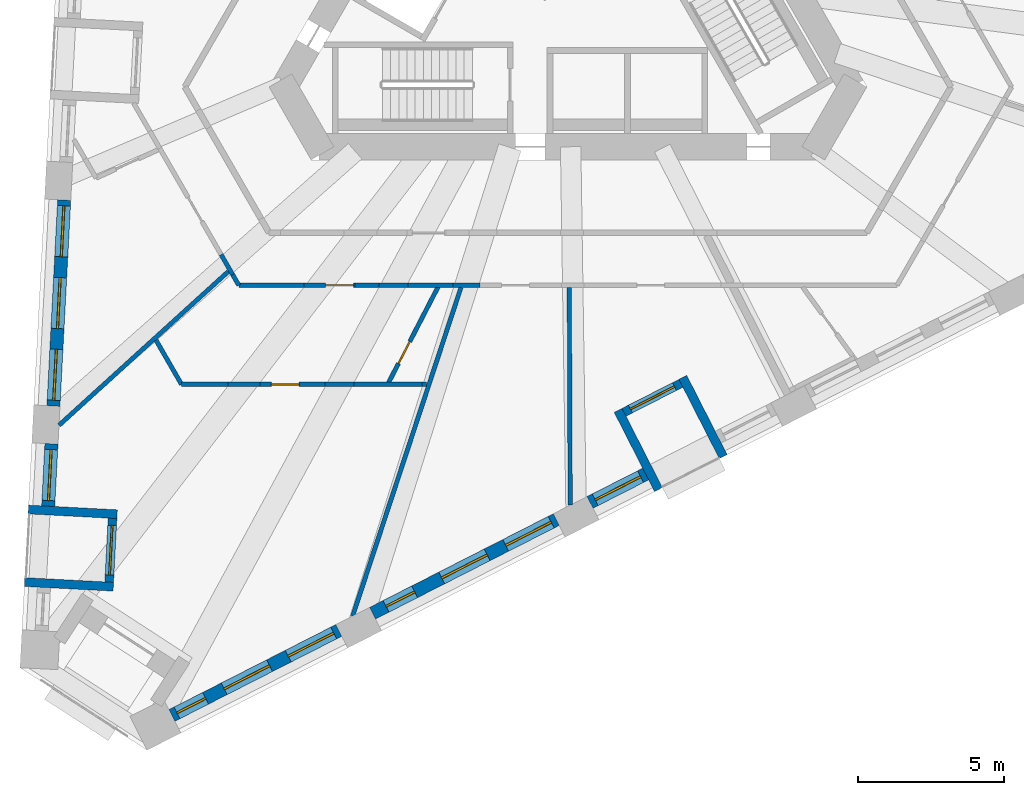
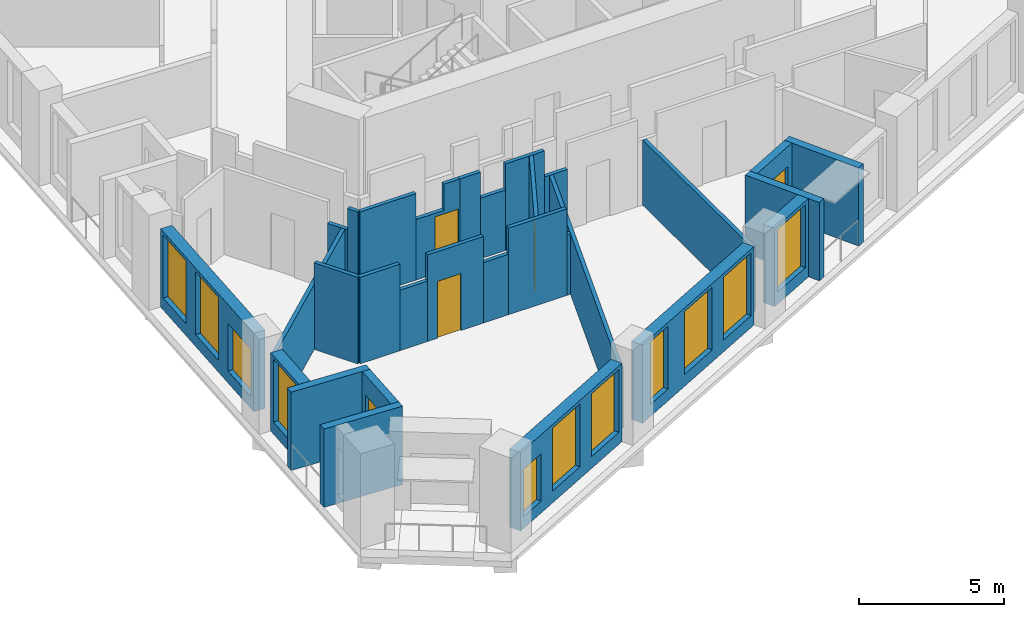
# One storey, part 2 of 12: 30 walls, 11 windows, 5 doors, 16 openings.
"""IFC4 building model written with IfcOpenShell, lengths in metres."""

from ifc_helpers import new_model, si_unit, direction, frame, frame_2d, origin, place, context, subcontext, project, spatial, polyline, rectangle, outline, extrude, material, layer, layer_set, type_object, element, fill, save


model = new_model("IFC4")

# Units and contexts
model_context = context("Model", 3, precision=1e-05, world=origin(), true_north=direction((0.0, 1.0)))
body_context = subcontext(model_context, "Body", "Model", "MODEL_VIEW")
ifc_project = project(units=[si_unit("LENGTHUNIT", "METRE"), si_unit("AREAUNIT", "SQUARE_METRE"), si_unit("VOLUMEUNIT", "CUBIC_METRE"), si_unit("PLANEANGLEUNIT", "RADIAN"), si_unit("MASSUNIT", "GRAM", prefix="KILO")], contexts=[model_context])

# Site, building, storey
site_placement = place(None, origin())
site = spatial("IfcSite", under=ifc_project, at=site_placement, CompositionType="ELEMENT")
building_placement = place(site_placement, origin())
building = spatial("IfcBuilding", under=site, at=building_placement, Name="Tramontana Tower", CompositionType="ELEMENT")
storey_placement = place(building_placement, frame((0.0, 0.0, 129.60009765625)))
storey = spatial("IfcBuildingStorey", under=building, at=storey_placement, Name="L29", CompositionType="ELEMENT", Elevation=129.60009765625)

# Wall, openings, windows
ifc_material_1 = material(Name="Precast concrete 60 MPa", Category="concrete")
ifc_layer_1 = layer(ifc_material_1, 0.449951171875)
ifc_layer_set_1 = layer_set([ifc_layer_1], Name="Precast concrete 60 MPa, 450 mm")
wall_type_1 = type_object("IfcWallType", Name="EW1 Stone-faced precast wall 450", PredefinedType="SOLIDWALL", material=ifc_layer_set_1)
wall_1_placement = place(storey_placement, frame((-17.274169921875, -8.128662109375, 0.0), z_axis=(0.0, 0.0, 1.0), x_axis=(-0.052339570873, -0.998629345313, 0.0)))
wall_1 = element("IfcWall", 1, at=wall_1_placement, inside=storey, type_object=wall_type_1, Name="External wall L29 face 0 bay 5", PredefinedType="SOLIDWALL", context=body_context, shape_type="SweptSolid", body=[
    extrude(rectangle(XDim=7.071533203125, YDim=0.449951171875, at=frame_2d((3.53564453125, 0.0))), origin(), (0.0, 0.0, 1.0), 3.2998046875),
])
opening_1_placement = place(wall_1_placement, frame((0.1953125, 0.0, 0.5)))
opening_1 = element("IfcOpeningElement", 2, at=opening_1_placement, cuts=wall_1, Name="Opening M2", PredefinedType="OPENING", context=body_context, shape_type="SweptSolid", body=[
    extrude(rectangle(XDim=1.75, YDim=2.64990234375, at=frame_2d((0.875, 1.324951171875))), frame((0.0, 0.23486328125, 0.0), z_axis=(0.0, -1.0, 0.0), x_axis=(1.0, 0.0, 0.0)), (0.0, 0.0, 1.0), 0.469970703125),
])
opening_2_placement = place(wall_1_placement, frame((2.660888671875, 0.0, 0.5)))
opening_2 = element("IfcOpeningElement", 3, at=opening_2_placement, cuts=wall_1, Name="Opening M2", PredefinedType="OPENING", context=body_context, shape_type="SweptSolid", body=[
    extrude(rectangle(XDim=1.75, YDim=2.64990234375, at=frame_2d((0.875, 1.324951171875))), frame((0.0, 0.23486328125, 0.0), z_axis=(0.0, -1.0, 0.0), x_axis=(1.0, 0.0, 0.0)), (0.0, 0.0, 1.0), 0.469970703125),
])
opening_3_placement = place(wall_1_placement, frame((5.126220703125, 0.0, 0.5)))
opening_3 = element("IfcOpeningElement", 4, at=opening_3_placement, cuts=wall_1, Name="Opening M2L", PredefinedType="OPENING", context=body_context, shape_type="SweptSolid", body=[
    extrude(rectangle(XDim=1.75, YDim=2.0, at=frame_2d((0.875, 1.0))), frame((0.0, 0.23486328125, 0.0), z_axis=(0.0, -1.0, 0.0), x_axis=(1.0, 0.0, 0.0)), (0.0, 0.0, 1.0), 0.469970703125),
])
ifc_material_2 = material(Name="Aluminum frame, double glazing unit", Category="aluminium")
window_type_1 = type_object("IfcWindowType", Name="M2 Window 1.75 x 2.65", PartitioningType="SINGLE_PANEL", PredefinedType="WINDOW", material=ifc_material_2)
window_1_placement = place(opening_1_placement, origin())
window_1 = element("IfcWindow", 5, at=window_1_placement, inside=storey, type_object=window_type_1, Name="Window M2 L29 face 0 module 13", OverallHeight=2.64990234375, OverallWidth=1.75, PartitioningType="SINGLE_PANEL", PredefinedType="WINDOW", context=body_context, shape_type="SweptSolid", body=[
    extrude(rectangle(XDim=1.75, YDim=2.64990234375, at=frame_2d((0.875, 1.324951171875))), frame((0.0, 0.030029296875, 0.0), z_axis=(0.0, -1.0, 0.0), x_axis=(1.0, 0.0, 0.0)), (0.0, 0.0, 1.0), 0.06005859375),
])
fill(opening_1, window_1)
window_2_placement = place(opening_2_placement, origin())
window_2 = element("IfcWindow", 6, at=window_2_placement, inside=storey, type_object=window_type_1, Name="Window M2 L29 face 0 module 14", OverallHeight=2.64990234375, OverallWidth=1.75, PartitioningType="SINGLE_PANEL", PredefinedType="WINDOW", context=body_context, shape_type="SweptSolid", body=[
    extrude(rectangle(XDim=1.75, YDim=2.64990234375, at=frame_2d((0.875, 1.324951171875))), frame((0.0, 0.030029296875, 0.0), z_axis=(0.0, -1.0, 0.0), x_axis=(1.0, 0.0, 0.0)), (0.0, 0.0, 1.0), 0.06005859375),
])
fill(opening_2, window_2)
ifc_material_3 = material(Name="Aluminum frame, double glazing unit", Category="aluminium")
window_type_2 = type_object("IfcWindowType", Name="M2L Window 1.75 x 2", PartitioningType="SINGLE_PANEL", PredefinedType="WINDOW", material=ifc_material_3)
window_3_placement = place(opening_3_placement, origin())
window_3 = element("IfcWindow", 7, at=window_3_placement, inside=storey, type_object=window_type_2, Name="Window M2L L29 face 0 module 15", OverallHeight=2.0, OverallWidth=1.75, PartitioningType="SINGLE_PANEL", PredefinedType="WINDOW", context=body_context, shape_type="SweptSolid", body=[
    extrude(rectangle(XDim=1.75, YDim=2.0, at=frame_2d((0.875, 1.0))), frame((0.0, 0.030029296875, 0.0), z_axis=(0.0, -1.0, 0.0), x_axis=(1.0, 0.0, 0.0)), (0.0, 0.0, 1.0), 0.06005859375),
])
fill(opening_3, window_3)

# Wall, opening, window
wall_2_placement = place(storey_placement, frame((-17.712158203125, -16.48876953125, 0.0), z_axis=(0.0, 0.0, 1.0), x_axis=(-0.05234931875, -0.998628834366, 0.0)))
wall_2 = element("IfcWall", 8, at=wall_2_placement, inside=storey, type_object=wall_type_1, Name="External wall L29 face 0 bay 6", PredefinedType="SOLIDWALL", context=body_context, shape_type="SweptSolid", body=[
    extrude(rectangle(XDim=2.140625, YDim=0.449951171875, at=frame_2d((1.0703125, 0.0))), origin(), (0.0, 0.0, 1.0), 3.2998046875),
])
opening_4_placement = place(wall_2_placement, frame((0.1953125, 0.0, 0.5)))
opening_4 = element("IfcOpeningElement", 9, at=opening_4_placement, cuts=wall_2, Name="Opening M2", PredefinedType="OPENING", context=body_context, shape_type="SweptSolid", body=[
    extrude(rectangle(XDim=1.75, YDim=2.64990234375, at=frame_2d((0.875, 1.324951171875))), frame((0.0, 0.23486328125, 0.0), z_axis=(0.0, -1.0, 0.0), x_axis=(1.0, 0.0, 0.0)), (0.0, 0.0, 1.0), 0.469970703125),
])
window_4_placement = place(opening_4_placement, origin())
window_4 = element("IfcWindow", 10, at=window_4_placement, inside=storey, type_object=window_type_1, Name="Window M2 L29 face 0 module 16", OverallHeight=2.64990234375, OverallWidth=1.75, PartitioningType="SINGLE_PANEL", PredefinedType="WINDOW", context=body_context, shape_type="SweptSolid", body=[
    extrude(rectangle(XDim=1.75, YDim=2.64990234375, at=frame_2d((0.875, 1.324951171875))), frame((0.0, 0.030029296875, 0.0), z_axis=(0.0, -1.0, 0.0), x_axis=(1.0, 0.0, 0.0)), (0.0, 0.0, 1.0), 0.06005859375),
])
fill(opening_4, window_4)

# Wall, openings, windows
wall_3_placement = place(storey_placement, frame((-13.580810546875, -25.802734375, 0.0), z_axis=(0.0, 0.0, 1.0), x_axis=(0.891010191031, 0.453983303085, 0.0)))
wall_3 = element("IfcWall", 11, at=wall_3_placement, inside=storey, type_object=wall_type_1, Name="External wall L29 face 1 bay 1", PredefinedType="SOLIDWALL", context=body_context, shape_type="SweptSolid", body=[
    extrude(rectangle(XDim=6.421630859375, YDim=0.449951171875, at=frame_2d((3.2109375, 0.0))), origin(), (0.0, 0.0, 1.0), 3.2998046875),
])
opening_5_placement = place(wall_3_placement, frame((0.1953125, 0.0, 0.5)))
opening_5 = element("IfcOpeningElement", 12, at=opening_5_placement, cuts=wall_3, Name="Opening N2L", PredefinedType="OPENING", context=body_context, shape_type="SweptSolid", body=[
    extrude(rectangle(XDim=1.10009765625, YDim=2.0, at=frame_2d((0.550048828125, 1.0))), frame((0.0, 0.23486328125, 0.0), z_axis=(0.0, -1.0, 0.0), x_axis=(1.0, 0.0, 0.0)), (0.0, 0.0, 1.0), 0.469970703125),
])
opening_6_placement = place(wall_3_placement, frame((2.0107421875, 0.0, 0.5)))
opening_6 = element("IfcOpeningElement", 13, at=opening_6_placement, cuts=wall_3, Name="Opening M2", PredefinedType="OPENING", context=body_context, shape_type="SweptSolid", body=[
    extrude(rectangle(XDim=1.75, YDim=2.64990234375, at=frame_2d((0.875, 1.324951171875))), frame((0.0, 0.23486328125, 0.0), z_axis=(0.0, -1.0, 0.0), x_axis=(1.0, 0.0, 0.0)), (0.0, 0.0, 1.0), 0.469970703125),
])
opening_7_placement = place(wall_3_placement, frame((4.476318359375, 0.0, 0.5)))
opening_7 = element("IfcOpeningElement", 14, at=opening_7_placement, cuts=wall_3, Name="Opening M2", PredefinedType="OPENING", context=body_context, shape_type="SweptSolid", body=[
    extrude(rectangle(XDim=1.75, YDim=2.64990234375, at=frame_2d((0.875, 1.324951171875))), frame((0.0, 0.23486328125, 0.0), z_axis=(0.0, -1.0, 0.0), x_axis=(1.0, 0.0, 0.0)), (0.0, 0.0, 1.0), 0.469970703125),
])
window_5_placement = place(opening_6_placement, origin())
window_5 = element("IfcWindow", 15, at=window_5_placement, inside=storey, type_object=window_type_1, Name="Window M2 L29 face 1 module 2", OverallHeight=2.64990234375, OverallWidth=1.75, PartitioningType="SINGLE_PANEL", PredefinedType="WINDOW", context=body_context, shape_type="SweptSolid", body=[
    extrude(rectangle(XDim=1.75, YDim=2.64990234375, at=frame_2d((0.875, 1.324951171875))), frame((0.0, 0.030029296875, 0.0), z_axis=(0.0, -1.0, 0.0), x_axis=(1.0, 0.0, 0.0)), (0.0, 0.0, 1.0), 0.06005859375),
])
fill(opening_6, window_5)
window_6_placement = place(opening_7_placement, origin())
window_6 = element("IfcWindow", 16, at=window_6_placement, inside=storey, type_object=window_type_1, Name="Window M2 L29 face 1 module 3", OverallHeight=2.64990234375, OverallWidth=1.75, PartitioningType="SINGLE_PANEL", PredefinedType="WINDOW", context=body_context, shape_type="SweptSolid", body=[
    extrude(rectangle(XDim=1.75, YDim=2.64990234375, at=frame_2d((0.875, 1.324951171875))), frame((0.0, 0.030029296875, 0.0), z_axis=(0.0, -1.0, 0.0), x_axis=(1.0, 0.0, 0.0)), (0.0, 0.0, 1.0), 0.06005859375),
])
fill(opening_7, window_6)
ifc_material_4 = material(Name="Aluminum frame, double glazing unit", Category="aluminium")
window_type_3 = type_object("IfcWindowType", Name="N2L Window 1.1 x 2", PartitioningType="SINGLE_PANEL", PredefinedType="WINDOW", material=ifc_material_4)
window_7_placement = place(opening_5_placement, origin())
window_7 = element("IfcWindow", 17, at=window_7_placement, inside=storey, type_object=window_type_3, Name="Window N2L L29 face 1 module 1", OverallHeight=2.0, OverallWidth=1.10009765625, PartitioningType="SINGLE_PANEL", PredefinedType="WINDOW", context=body_context, shape_type="SweptSolid", body=[
    extrude(rectangle(XDim=1.10009765625, YDim=2.0, at=frame_2d((0.550048828125, 1.0))), frame((0.0, 0.030029296875, 0.0), z_axis=(0.0, -1.0, 0.0), x_axis=(1.0, 0.0, 0.0)), (0.0, 0.0, 1.0), 0.06005859375),
])
fill(opening_5, window_7)

wall_4_placement = place(storey_placement, frame((-6.70068359375, -22.29736328125, 0.0), z_axis=(0.0, 0.0, 1.0), x_axis=(0.891004189171, 0.45399508244, 0.0)))
wall_4 = element("IfcWall", 18, at=wall_4_placement, inside=storey, type_object=wall_type_1, Name="External wall L29 face 1 bay 2", PredefinedType="SOLIDWALL", context=body_context, shape_type="SweptSolid", body=[
    extrude(rectangle(XDim=7.071533203125, YDim=0.449951171875, at=frame_2d((3.53564453125, 0.0))), origin(), (0.0, 0.0, 1.0), 3.2998046875),
])
opening_8_placement = place(wall_4_placement, frame((0.520263671875, 0.0, 0.5)))
opening_8 = element("IfcOpeningElement", 19, at=opening_8_placement, cuts=wall_4, Name="Opening N2", PredefinedType="OPENING", context=body_context, shape_type="SweptSolid", body=[
    extrude(rectangle(XDim=1.10009765625, YDim=2.64990234375, at=frame_2d((0.550048828125, 1.324951171875))), frame((0.0, 0.23486328125, 0.0), z_axis=(0.0, -1.0, 0.0), x_axis=(1.0, 0.0, 0.0)), (0.0, 0.0, 1.0), 0.469970703125),
])
opening_9_placement = place(wall_4_placement, frame((2.660888671875, 0.0, 0.5)))
opening_9 = element("IfcOpeningElement", 20, at=opening_9_placement, cuts=wall_4, Name="Opening M2", PredefinedType="OPENING", context=body_context, shape_type="SweptSolid", body=[
    extrude(rectangle(XDim=1.75, YDim=2.64990234375, at=frame_2d((0.875, 1.324951171875))), frame((0.0, 0.23486328125, 0.0), z_axis=(0.0, -1.0, 0.0), x_axis=(1.0, 0.0, 0.0)), (0.0, 0.0, 1.0), 0.469970703125),
])
opening_10_placement = place(wall_4_placement, frame((5.126220703125, 0.0, 0.5)))
opening_10 = element("IfcOpeningElement", 21, at=opening_10_placement, cuts=wall_4, Name="Opening M2", PredefinedType="OPENING", context=body_context, shape_type="SweptSolid", body=[
    extrude(rectangle(XDim=1.75, YDim=2.64990234375, at=frame_2d((0.875, 1.324951171875))), frame((0.0, 0.23486328125, 0.0), z_axis=(0.0, -1.0, 0.0), x_axis=(1.0, 0.0, 0.0)), (0.0, 0.0, 1.0), 0.469970703125),
])
window_8_placement = place(opening_9_placement, origin())
window_8 = element("IfcWindow", 22, at=window_8_placement, inside=storey, type_object=window_type_1, Name="Window M2 L29 face 1 module 5", OverallHeight=2.64990234375, OverallWidth=1.75, PartitioningType="SINGLE_PANEL", PredefinedType="WINDOW", context=body_context, shape_type="SweptSolid", body=[
    extrude(rectangle(XDim=1.75, YDim=2.64990234375, at=frame_2d((0.875, 1.324951171875))), frame((0.0, 0.030029296875, 0.0), z_axis=(0.0, -1.0, 0.0), x_axis=(1.0, 0.0, 0.0)), (0.0, 0.0, 1.0), 0.06005859375),
])
fill(opening_9, window_8)
window_9_placement = place(opening_10_placement, origin())
window_9 = element("IfcWindow", 23, at=window_9_placement, inside=storey, type_object=window_type_1, Name="Window M2 L29 face 1 module 6", OverallHeight=2.64990234375, OverallWidth=1.75, PartitioningType="SINGLE_PANEL", PredefinedType="WINDOW", context=body_context, shape_type="SweptSolid", body=[
    extrude(rectangle(XDim=1.75, YDim=2.64990234375, at=frame_2d((0.875, 1.324951171875))), frame((0.0, 0.030029296875, 0.0), z_axis=(0.0, -1.0, 0.0), x_axis=(1.0, 0.0, 0.0)), (0.0, 0.0, 1.0), 0.06005859375),
])
fill(opening_10, window_9)
ifc_material_5 = material(Name="Aluminum frame, double glazing unit", Category="aluminium")
window_type_4 = type_object("IfcWindowType", Name="N2 Window 1.1 x 2.65", PartitioningType="SINGLE_PANEL", PredefinedType="WINDOW", material=ifc_material_5)
window_10_placement = place(opening_8_placement, origin())
window_10 = element("IfcWindow", 24, at=window_10_placement, inside=storey, type_object=window_type_4, Name="Window N2 L29 face 1 module 4", OverallHeight=2.64990234375, OverallWidth=1.10009765625, PartitioningType="SINGLE_PANEL", PredefinedType="WINDOW", context=body_context, shape_type="SweptSolid", body=[
    extrude(rectangle(XDim=1.10009765625, YDim=2.64990234375, at=frame_2d((0.550048828125, 1.324951171875))), frame((0.0, 0.030029296875, 0.0), z_axis=(0.0, -1.0, 0.0), x_axis=(1.0, 0.0, 0.0)), (0.0, 0.0, 1.0), 0.06005859375),
])
fill(opening_8, window_10)

# Wall, opening, window
wall_5_placement = place(storey_placement, frame((0.75830078125, -18.496826171875, 0.0), z_axis=(0.0, 0.0, 1.0), x_axis=(0.890979432498, 0.454043666254, 0.0)))
wall_5 = element("IfcWall", 25, at=wall_5_placement, inside=storey, type_object=wall_type_1, Name="External wall L29 face 1 bay 3", PredefinedType="SOLIDWALL", context=body_context, shape_type="SweptSolid", body=[
    extrude(rectangle(XDim=2.140625, YDim=0.449951171875, at=frame_2d((1.0703125, 0.0))), origin(), (0.0, 0.0, 1.0), 3.2998046875),
])
opening_11_placement = place(wall_5_placement, frame((0.1953125, 0.0, 0.5)))
opening_11 = element("IfcOpeningElement", 26, at=opening_11_placement, cuts=wall_5, Name="Opening M2", PredefinedType="OPENING", context=body_context, shape_type="SweptSolid", body=[
    extrude(rectangle(XDim=1.75, YDim=2.64990234375, at=frame_2d((0.875, 1.324951171875))), frame((0.0, 0.23486328125, 0.0), z_axis=(0.0, -1.0, 0.0), x_axis=(1.0, 0.0, 0.0)), (0.0, 0.0, 1.0), 0.469970703125),
])
window_11_placement = place(opening_11_placement, origin())
window_11 = element("IfcWindow", 27, at=window_11_placement, inside=storey, type_object=window_type_1, Name="Window M2 L29 face 1 module 7", OverallHeight=2.64990234375, OverallWidth=1.75, PartitioningType="SINGLE_PANEL", PredefinedType="WINDOW", context=body_context, shape_type="SweptSolid", body=[
    extrude(rectangle(XDim=1.75, YDim=2.64990234375, at=frame_2d((0.875, 1.324951171875))), frame((0.0, 0.030029296875, 0.0), z_axis=(0.0, -1.0, 0.0), x_axis=(1.0, 0.0, 0.0)), (0.0, 0.0, 1.0), 0.06005859375),
])
fill(opening_11, window_11)

# Wall, opening, door
ifc_material_6 = material(Name="Precast concrete 60 MPa", Category="concrete")
ifc_layer_2 = layer(ifc_material_6, 0.300048828125)
ifc_layer_set_2 = layer_set([ifc_layer_2], Name="LW1 Stone-faced loggia wall 300")
wall_type_2 = type_object("IfcWallType", Name="LW1 Stone-faced loggia wall 300", PredefinedType="SOLIDWALL", material=ifc_layer_set_2)
wall_6_placement = place(storey_placement, frame((-15.617919921875, -19.04248046875, 0.0), z_axis=(0.0, 0.0, 1.0), x_axis=(-0.052383338583, -0.998627050424, 0.0)))
wall_6 = element("IfcWall", 28, at=wall_6_placement, inside=storey, type_object=wall_type_2, Name="Loggia wall L29 G3S0.16", PredefinedType="SOLIDWALL", context=body_context, shape_type="SweptSolid", body=[
    extrude(rectangle(XDim=2.1904296875, YDim=0.300048828125, at=frame_2d((1.09521484375, 0.0))), origin(), (0.0, 0.0, 1.0), 3.2998046875),
])
opening_12_placement = place(wall_6_placement, frame((0.245361328125, 0.0, 0.0)))
opening_12 = element("IfcOpeningElement", 29, at=opening_12_placement, cuts=wall_6, Name="Opening BD-3S0-16", PredefinedType="OPENING", context=body_context, shape_type="SweptSolid", body=[
    extrude(rectangle(XDim=1.699951171875, YDim=2.449951171875, at=frame_2d((0.85009765625, 1.22509765625))), frame((0.0, 0.159912109375, 0.0), z_axis=(0.0, -1.0, 0.0), x_axis=(1.0, 0.0, 0.0)), (0.0, 0.0, 1.0), 0.320068359375),
])
ifc_material_7 = material(Name="Aluminum frame, double glazing unit", Category="aluminium")
door_type_1 = type_object("IfcDoorType", Name="BD2 Sliding door 1.7 x 2.45", OperationType="SLIDING_TO_LEFT", PredefinedType="DOOR", material=ifc_material_7)
door_1_placement = place(opening_12_placement, origin())
door_1 = element("IfcDoor", 30, at=door_1_placement, inside=storey, type_object=door_type_1, Name="Loggia door L29 G3S0.16", OperationType="SLIDING_TO_LEFT", OverallHeight=2.449951171875, OverallWidth=1.699951171875, PredefinedType="DOOR", context=body_context, shape_type="SweptSolid", body=[
    extrude(rectangle(XDim=1.699951171875, YDim=2.449951171875, at=frame_2d((0.85009765625, 1.22509765625))), frame((0.0, 0.02490234375, 0.0), z_axis=(0.0, -1.0, 0.0), x_axis=(1.0, 0.0, 0.0)), (0.0, 0.0, 1.0), 0.050048828125),
])
fill(opening_12, door_1)

# Walls
for number, where, z_axis, x_axis, name in (
    (31, (-18.506103515625, -18.74072265625, 0.0), (0.0, 0.0, 1.0), (0.998628643661, -0.052352956549, 0.0), "Loggia return L29 G3S0.16a"),
    (32, (-18.636474609375, -21.22802734375, 0.0), (0.0, 0.0, 1.0), (0.998632825615, -0.05227312506, 0.0), "Loggia return L29 G3S0.16b"),
):
    element("IfcWall", number, at=place(storey_placement, frame(where, z_axis=z_axis, x_axis=x_axis)), inside=storey, type_object=wall_type_2, Name=name, PredefinedType="SOLIDWALL", context=body_context, shape_type="SweptSolid", body=[
        extrude(rectangle(XDim=3.0498046875, YDim=0.300048828125, at=frame_2d((1.52490234375, 0.0))), origin(), (0.0, 0.0, 1.0), 3.2998046875),
    ])

# Wall, opening, door
wall_7_placement = place(storey_placement, frame((1.9228515625, -15.40625, 0.0), z_axis=(0.0, 0.0, 1.0), x_axis=(0.891013126725, 0.4539775413, 0.0)))
wall_7 = element("IfcWall", 33, at=wall_7_placement, inside=storey, type_object=wall_type_2, Name="Loggia wall L29 G3S1.7", PredefinedType="SOLIDWALL", context=body_context, shape_type="SweptSolid", body=[
    extrude(rectangle(XDim=2.1904296875, YDim=0.300048828125, at=frame_2d((1.09521484375, 0.0))), origin(), (0.0, 0.0, 1.0), 3.2998046875),
])
opening_13_placement = place(wall_7_placement, frame((0.245361328125, 0.0, 0.0)))
opening_13 = element("IfcOpeningElement", 34, at=opening_13_placement, cuts=wall_7, Name="Opening BD-3S1-07", PredefinedType="OPENING", context=body_context, shape_type="SweptSolid", body=[
    extrude(rectangle(XDim=1.699951171875, YDim=2.449951171875, at=frame_2d((0.85009765625, 1.22509765625))), frame((0.0, 0.159912109375, 0.0), z_axis=(0.0, -1.0, 0.0), x_axis=(1.0, 0.0, 0.0)), (0.0, 0.0, 1.0), 0.320068359375),
])
door_2_placement = place(opening_13_placement, origin())
door_2 = element("IfcDoor", 35, at=door_2_placement, inside=storey, type_object=door_type_1, Name="Loggia door L29 G3S1.7", OperationType="SLIDING_TO_LEFT", OverallHeight=2.449951171875, OverallWidth=1.699951171875, PredefinedType="DOOR", context=body_context, shape_type="SweptSolid", body=[
    extrude(rectangle(XDim=1.699951171875, YDim=2.449951171875, at=frame_2d((0.85009765625, 1.22509765625))), frame((0.0, 0.02490234375, 0.0), z_axis=(0.0, -1.0, 0.0), x_axis=(1.0, 0.0, 0.0)), (0.0, 0.0, 1.0), 0.050048828125),
])
fill(opening_13, door_2)

# Walls
wall_8_placement = place(storey_placement, frame((3.105712890625, -18.058349609375, 0.0), z_axis=(0.0, 0.0, 1.0), x_axis=(-0.453988129332, 0.891007731968, 0.0)))
element("IfcWall", 36, at=wall_8_placement, inside=storey, type_object=wall_type_2, Name="Loggia return L29 G3S1.7a", PredefinedType="SOLIDWALL", context=body_context, shape_type="SweptSolid", body=[
    extrude(rectangle(XDim=3.05029296875, YDim=0.300048828125, at=frame_2d((1.525146484375, 0.0))), origin(), (0.0, 0.0, 1.0), 3.2998046875),
])
wall_9_placement = place(storey_placement, frame((5.32470703125, -16.927490234375, 0.0), z_axis=(0.0, 0.0, 1.0), x_axis=(-0.453956959009, 0.891023613249, 0.0)))
element("IfcWall", 37, at=wall_9_placement, inside=storey, type_object=wall_type_2, Name="Loggia return L29 G3S1.7b", PredefinedType="SOLIDWALL", context=body_context, shape_type="SweptSolid", body=[
    extrude(rectangle(XDim=3.0498046875, YDim=0.300048828125, at=frame_2d((1.52490234375, 0.0))), origin(), (0.0, 0.0, 1.0), 3.2998046875),
])
ifc_material_8 = material(Name="Gypsum board partition")
ifc_layer_3 = layer(ifc_material_8, 0.14990234375)
ifc_layer_set_3 = layer_set([ifc_layer_3], Name="PARTITION 150")
wall_type_3 = type_object("IfcWallType", Name="PARTITION 150", PredefinedType="PARTITIONING", material=ifc_layer_set_3)
wall_10_placement = place(storey_placement, frame((-17.45361328125, -15.851318359375, 0.0), z_axis=(0.0, 0.0, 1.0), x_axis=(0.740276567096, 0.672302464824, 0.0)))
element("IfcWall", 38, at=wall_10_placement, inside=storey, type_object=wall_type_3, Name="Wall v30-pw00-0", PredefinedType="PARTITIONING", context=body_context, shape_type="SweptSolid", body=[
    extrude(rectangle(XDim=7.84423828125, YDim=0.14990234375, at=frame_2d((3.922119140625, 0.0))), origin(), (0.0, 0.0, 1.0), 2.75),
])
wall_11_placement = place(storey_placement, frame((-13.250244140625, -14.449951171875, 0.0), z_axis=(0.0, 0.0, 1.0), x_axis=(-0.500047902311, 0.865997745606, 0.0)))
element("IfcWall", 39, at=wall_11_placement, inside=storey, type_object=wall_type_3, Name="Wall v30-pw03", PredefinedType="PARTITIONING", context=body_context, shape_type="SweptSolid", body=[
    extrude(rectangle(XDim=1.753173828125, YDim=0.14990234375, at=frame_2d((0.87646484375, 0.0))), origin(), (0.0, 0.0, 1.0), 3.64990234375),
])
wall_12_placement = place(storey_placement, frame((-11.287353515625, -11.050048828125, 0.0), z_axis=(0.0, 0.0, 1.0), x_axis=(-0.499489419809, 0.866319986782, 0.0)))
element("IfcWall", 40, at=wall_12_placement, inside=storey, type_object=wall_type_3, Name="Wall v30-pw05-0", PredefinedType="PARTITIONING", context=body_context, shape_type="SweptSolid", body=[
    extrude(rectangle(XDim=0.42333984375, YDim=0.14990234375, at=frame_2d((0.211669921875, 0.0))), origin(), (0.0, 0.0, 1.0), 3.64990234375),
])
wall_13_placement = place(storey_placement, frame((-11.498779296875, -10.683349609375, 0.0), z_axis=(0.0, 0.0, 1.0), x_axis=(-0.50012328804, 0.865954211699, 0.0)))
element("IfcWall", 41, at=wall_13_placement, inside=storey, type_object=wall_type_3, Name="Wall v30-pw05-1", PredefinedType="PARTITIONING", context=body_context, shape_type="SweptSolid", body=[
    extrude(rectangle(XDim=0.790771484375, YDim=0.14990234375, at=frame_2d((0.3955078125, 0.0))), origin(), (0.0, 0.0, 1.0), 2.75),
])
wall_14_placement = place(storey_placement, frame((-4.8427734375, -14.449951171875, 0.0), z_axis=(0.0, 0.0, 1.0), x_axis=(-1.0, 0.0, 0.0)))
element("IfcWall", 42, at=wall_14_placement, inside=storey, type_object=wall_type_3, Name="Wall v30-pw15-0", PredefinedType="PARTITIONING", context=body_context, shape_type="SweptSolid", body=[
    extrude(rectangle(XDim=0.166259765625, YDim=0.14990234375, at=frame_2d((0.0830078125, 0.0))), origin(), (0.0, 0.0, 1.0), 2.5498046875),
])
wall_15_placement = place(storey_placement, frame((-5.009033203125, -14.449951171875, 0.0), z_axis=(0.0, 0.0, 1.0), x_axis=(-1.0, 0.0, 0.0)))
element("IfcWall", 43, at=wall_15_placement, inside=storey, type_object=wall_type_3, Name="Wall v30-pw15-1", PredefinedType="PARTITIONING", context=body_context, shape_type="SweptSolid", body=[
    extrude(rectangle(XDim=2.320556640625, YDim=0.14990234375, at=frame_2d((1.16015625, 0.0))), origin(), (0.0, 0.0, 1.0), 3.64990234375),
])
wall_16_placement = place(storey_placement, frame((-7.32958984375, -14.449951171875, 0.0), z_axis=(0.0, 0.0, 1.0), x_axis=(-1.0, 0.0, 0.0)))
element("IfcWall", 44, at=wall_16_placement, inside=storey, type_object=wall_type_3, Name="Wall v30-pw15-2", PredefinedType="PARTITIONING", context=body_context, shape_type="SweptSolid", body=[
    extrude(rectangle(XDim=0.9951171875, YDim=0.14990234375, at=frame_2d((0.49755859375, 0.0))), origin(), (0.0, 0.0, 1.0), 2.5498046875),
])

# Wall, opening, door
wall_17_placement = place(storey_placement, frame((-8.32470703125, -14.449951171875, 0.0), z_axis=(0.0, 0.0, 1.0), x_axis=(-1.0, 0.0, 0.0)))
wall_17 = element("IfcWall", 45, at=wall_17_placement, inside=storey, type_object=wall_type_3, Name="Wall v30-pw15-3", PredefinedType="PARTITIONING", context=body_context, shape_type="SweptSolid", body=[
    extrude(rectangle(XDim=2.234130859375, YDim=0.14990234375, at=frame_2d((1.1171875, 0.0))), origin(), (0.0, 0.0, 1.0), 3.64990234375),
])
opening_14_placement = place(wall_17_placement, frame((0.896240234375, 0.0, 0.0)))
opening_14 = element("IfcOpeningElement", 46, at=opening_14_placement, cuts=wall_17, Name="Opening B3A-18", PredefinedType="OPENING", context=body_context, shape_type="SweptSolid", body=[
    extrude(rectangle(XDim=0.949951171875, YDim=2.39990234375, at=frame_2d((0.47509765625, 1.199951171875))), frame((0.0, 0.0849609375, 0.0), z_axis=(0.0, -1.0, 0.0), x_axis=(1.0, 0.0, 0.0)), (0.0, 0.0, 1.0), 0.169921875),
])
ifc_material_9 = material(Name="Painted timber", Category="wood")
door_type_2 = type_object("IfcDoorType", Name="DOOR ROOM 950", OperationType="SINGLE_SWING_LEFT", PredefinedType="DOOR", material=ifc_material_9)
door_3_placement = place(opening_14_placement, origin())
door_3 = element("IfcDoor", 47, at=door_3_placement, inside=storey, type_object=door_type_2, Name="Door B3A-18", OperationType="SINGLE_SWING_RIGHT", OverallHeight=2.39990234375, OverallWidth=0.949951171875, PredefinedType="DOOR", context=body_context, shape_type="SweptSolid", body=[
    extrude(rectangle(XDim=0.949951171875, YDim=2.39990234375, at=frame_2d((0.47509765625, 1.199951171875))), frame((0.0, 0.02490234375, 0.0), z_axis=(0.0, -1.0, 0.0), x_axis=(1.0, 0.0, 0.0)), (0.0, 0.0, 1.0), 0.050048828125),
])
fill(opening_14, door_3)

# Walls
wall_18_placement = place(storey_placement, frame((-10.558837890625, -14.449951171875, 0.0), z_axis=(0.0, 0.0, 1.0), x_axis=(-1.0, 0.0, 0.0)))
element("IfcWall", 48, at=wall_18_placement, inside=storey, type_object=wall_type_3, Name="Wall v30-pw15-4", PredefinedType="PARTITIONING", context=body_context, shape_type="SweptSolid", body=[
    extrude(rectangle(XDim=1.103759765625, YDim=0.14990234375, at=frame_2d((0.5517578125, 0.0))), origin(), (0.0, 0.0, 1.0), 2.5498046875),
])
wall_19_placement = place(storey_placement, frame((-11.66259765625, -14.449951171875, 0.0), z_axis=(0.0, 0.0, 1.0), x_axis=(-1.0, 0.0, 0.0)))
element("IfcWall", 49, at=wall_19_placement, inside=storey, type_object=wall_type_3, Name="Wall v30-pw15-5", PredefinedType="PARTITIONING", context=body_context, shape_type="SweptSolid", body=[
    extrude(rectangle(XDim=1.58740234375, YDim=0.14990234375, at=frame_2d((0.793701171875, 0.0))), origin(), (0.0, 0.0, 1.0), 3.64990234375),
])

# Wall, opening, door
wall_20_placement = place(storey_placement, frame((-4.42529296875, -11.052001953125, 0.0), z_axis=(0.0, 0.0, 1.0), x_axis=(-0.459481978347, -0.888187092664, 0.0)))
wall_20 = element("IfcWall", 50, at=wall_20_placement, inside=storey, type_object=wall_type_3, Name="Wall v30-pw16", PredefinedType="PARTITIONING", context=body_context, shape_type="SweptSolid", body=[
    extrude(rectangle(XDim=3.823486328125, YDim=0.14990234375, at=frame_2d((1.91162109375, 0.0))), origin(), (0.0, 0.0, 1.0), 3.64990234375),
])
opening_15_placement = place(wall_20_placement, frame((2.169921875, 0.0, 0.0)))
opening_15 = element("IfcOpeningElement", 51, at=opening_15_placement, cuts=wall_20, Name="Opening B3A-20", PredefinedType="OPENING", context=body_context, shape_type="SweptSolid", body=[
    extrude(rectangle(XDim=0.85009765625, YDim=2.39990234375, at=frame_2d((0.425048828125, 1.199951171875))), frame((0.0, 0.0849609375, 0.0), z_axis=(0.0, -1.0, 0.0), x_axis=(1.0, 0.0, 0.0)), (0.0, 0.0, 1.0), 0.169921875),
])
ifc_material_10 = material(Name="Painted timber", Category="wood")
door_type_3 = type_object("IfcDoorType", Name="DOOR BATH 850", OperationType="SINGLE_SWING_LEFT", PredefinedType="DOOR", material=ifc_material_10)
door_4_placement = place(opening_15_placement, origin())
door_4 = element("IfcDoor", 52, at=door_4_placement, inside=storey, type_object=door_type_3, Name="Door B3A-20", OperationType="SINGLE_SWING_RIGHT", OverallHeight=2.39990234375, OverallWidth=0.85009765625, PredefinedType="DOOR", context=body_context, shape_type="SweptSolid", body=[
    extrude(rectangle(XDim=0.85009765625, YDim=2.39990234375, at=frame_2d((0.425048828125, 1.199951171875))), frame((0.0, 0.02490234375, 0.0), z_axis=(0.0, -1.0, 0.0), x_axis=(1.0, 0.0, 0.0)), (0.0, 0.0, 1.0), 0.050048828125),
])
fill(opening_15, door_4)

# Walls
wall_21_placement = place(storey_placement, frame((-3.667724609375, -11.125, 0.0), z_axis=(0.0, 0.0, 1.0), x_axis=(-0.313095908813, -0.949721512805, 0.0)))
element("IfcWall", 53, at=wall_21_placement, inside=storey, type_object=wall_type_3, Name="Wall v30-pw18-0", PredefinedType="PARTITIONING", context=body_context, shape_type="SweptSolid", body=[
    extrude(rectangle(XDim=11.86328125, YDim=0.14990234375, at=frame_2d((5.931640625, 0.0))), origin(), (0.0, 0.0, 1.0), 2.5498046875),
])
wall_22_placement = place(storey_placement, frame((0.046142578125, -11.125, 0.0), z_axis=(0.0, 0.0, 1.0), x_axis=(0.004152733795, -0.999991377364, 0.0)))
element("IfcWall", 54, at=wall_22_placement, inside=storey, type_object=wall_type_3, Name="Wall v30-pw19-0", PredefinedType="PARTITIONING", context=body_context, shape_type="SweptSolid", body=[
    extrude(rectangle(XDim=7.46630859375, YDim=0.14990234375, at=frame_2d((3.733154296875, 0.0))), origin(), (0.0, 0.0, 1.0), 2.75),
])
wall_23_placement = place(storey_placement, frame((-3.02099609375, -11.050048828125, 0.0), z_axis=(0.0, 0.0, 1.0), x_axis=(-1.0, 0.0, 0.0)))
element("IfcWall", 55, at=wall_23_placement, inside=storey, type_object=wall_type_3, Name="Wall v30-pw28-5", PredefinedType="PARTITIONING", context=body_context, shape_type="SweptSolid", body=[
    extrude(rectangle(XDim=0.91748046875, YDim=0.14990234375, at=frame_2d((0.458740234375, 0.0))), origin(), (0.0, 0.0, 1.0), 2.5498046875),
])
wall_24_placement = place(storey_placement, frame((-3.9384765625, -11.050048828125, 0.0), z_axis=(0.0, 0.0, 1.0), x_axis=(-1.0, 0.0, 0.0)))
element("IfcWall", 56, at=wall_24_placement, inside=storey, type_object=wall_type_3, Name="Wall v30-pw28-6", PredefinedType="PARTITIONING", context=body_context, shape_type="SweptSolid", body=[
    extrude(rectangle(XDim=1.54931640625, YDim=0.14990234375, at=frame_2d((0.774658203125, 0.0))), origin(), (0.0, 0.0, 1.0), 3.64990234375),
])
wall_25_placement = place(storey_placement, frame((-5.48779296875, -11.050048828125, 0.0), z_axis=(0.0, 0.0, 1.0), x_axis=(-1.0, 0.0, 0.0)))
element("IfcWall", 57, at=wall_25_placement, inside=storey, type_object=wall_type_3, Name="Wall v30-pw28-7", PredefinedType="PARTITIONING", context=body_context, shape_type="SweptSolid", body=[
    extrude(rectangle(XDim=0.9951171875, YDim=0.14990234375, at=frame_2d((0.49755859375, 0.0))), origin(), (0.0, 0.0, 1.0), 2.5498046875),
])
wall_26_placement = place(storey_placement, frame((-6.48291015625, -11.050048828125, 0.0), z_axis=(0.0, 0.0, 1.0), x_axis=(-1.0, 0.0, 0.0)))
element("IfcWall", 58, at=wall_26_placement, inside=storey, type_object=wall_type_3, Name="Wall v30-pw28-8", PredefinedType="PARTITIONING", context=body_context, shape_type="SweptSolid", body=[
    extrude(rectangle(XDim=0.8271484375, YDim=0.14990234375, at=frame_2d((0.41357421875, 0.0))), origin(), (0.0, 0.0, 1.0), 3.64990234375),
])

# Wall, opening, door
wall_27_placement = place(storey_placement, frame((-7.31005859375, -11.050048828125, 0.0), z_axis=(0.0, 0.0, 1.0), x_axis=(-1.0, 0.0, 0.0)))
wall_27 = element("IfcWall", 59, at=wall_27_placement, inside=storey, type_object=wall_type_3, Name="Wall v30-pw28-9", PredefinedType="PARTITIONING", context=body_context, shape_type="SweptSolid", body=[
    extrude(outline(polyline([(0.0, 0.0), (1.73828125, 0.0), (1.73828125, 2.5498046875), (0.634521484375, 2.5498046875), (0.634521484375, 3.64990234375), (0.0, 3.64990234375), (0.0, 0.0)])), frame((0.0, 0.074951171875, 0.0), z_axis=(0.0, -1.0, 0.0), x_axis=(1.0, 0.0, 0.0)), (0.0, 0.0, 1.0), 0.14990234375),
])
opening_16_placement = place(wall_27_placement, frame((0.050048828125, 0.0, 0.0)))
opening_16 = element("IfcOpeningElement", 60, at=opening_16_placement, cuts=wall_27, Name="Opening B3A-08", PredefinedType="OPENING", context=body_context, shape_type="SweptSolid", body=[
    extrude(rectangle(XDim=0.949951171875, YDim=2.39990234375, at=frame_2d((0.47509765625, 1.199951171875))), frame((0.0, 0.0849609375, 0.0), z_axis=(0.0, -1.0, 0.0), x_axis=(1.0, 0.0, 0.0)), (0.0, 0.0, 1.0), 0.169921875),
])
door_5_placement = place(opening_16_placement, origin())
door_5 = element("IfcDoor", 61, at=door_5_placement, inside=storey, type_object=door_type_2, Name="Door B3A-08", OperationType="SINGLE_SWING_RIGHT", OverallHeight=2.39990234375, OverallWidth=0.949951171875, PredefinedType="DOOR", context=body_context, shape_type="SweptSolid", body=[
    extrude(rectangle(XDim=0.949951171875, YDim=2.39990234375, at=frame_2d((0.47509765625, 1.199951171875))), frame((0.0, 0.02490234375, 0.0), z_axis=(0.0, -1.0, 0.0), x_axis=(1.0, 0.0, 0.0)), (0.0, 0.0, 1.0), 0.050048828125),
])
fill(opening_16, door_5)

# Wall
wall_28_placement = place(storey_placement, frame((-9.04833984375, -11.050048828125, 0.0), z_axis=(0.0, 0.0, 1.0), x_axis=(-1.0, 0.0, 0.0)))
element("IfcWall", 62, at=wall_28_placement, inside=storey, type_object=wall_type_3, Name="Wall v30-pw28-10", PredefinedType="PARTITIONING", context=body_context, shape_type="SweptSolid", body=[
    extrude(rectangle(XDim=2.23876953125, YDim=0.14990234375, at=frame_2d((1.119384765625, 0.0))), origin(), (0.0, 0.0, 1.0), 3.64990234375),
])

save(model, "model.ifc")
